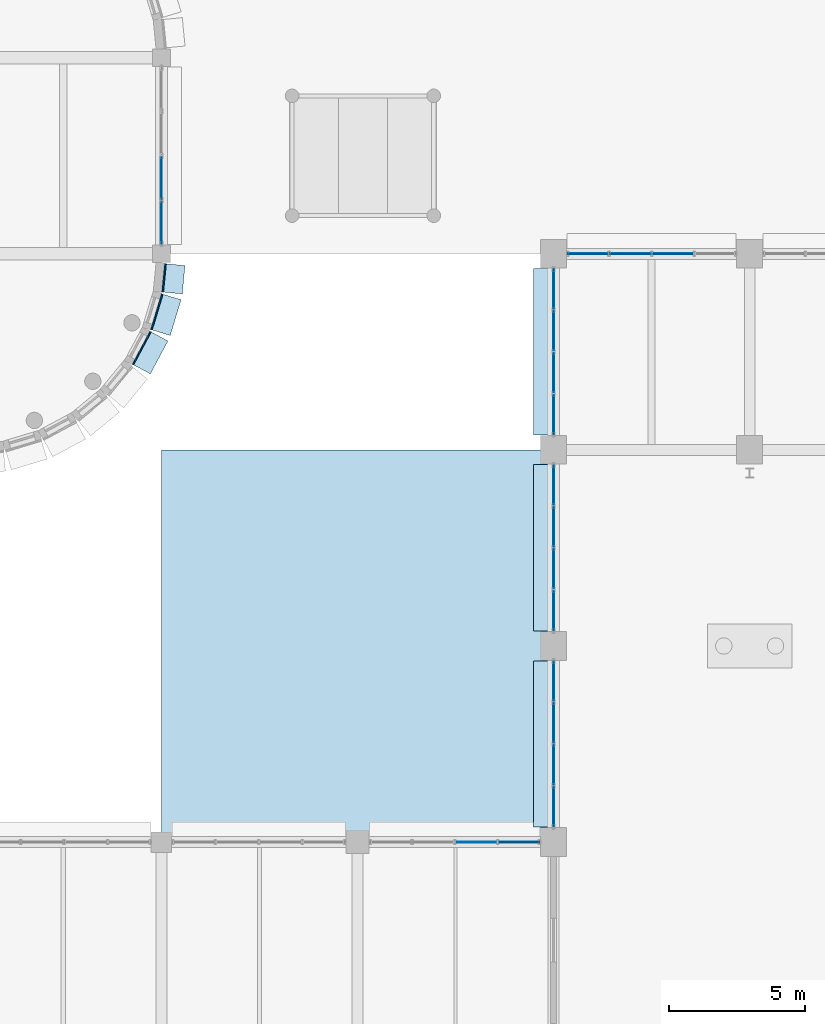
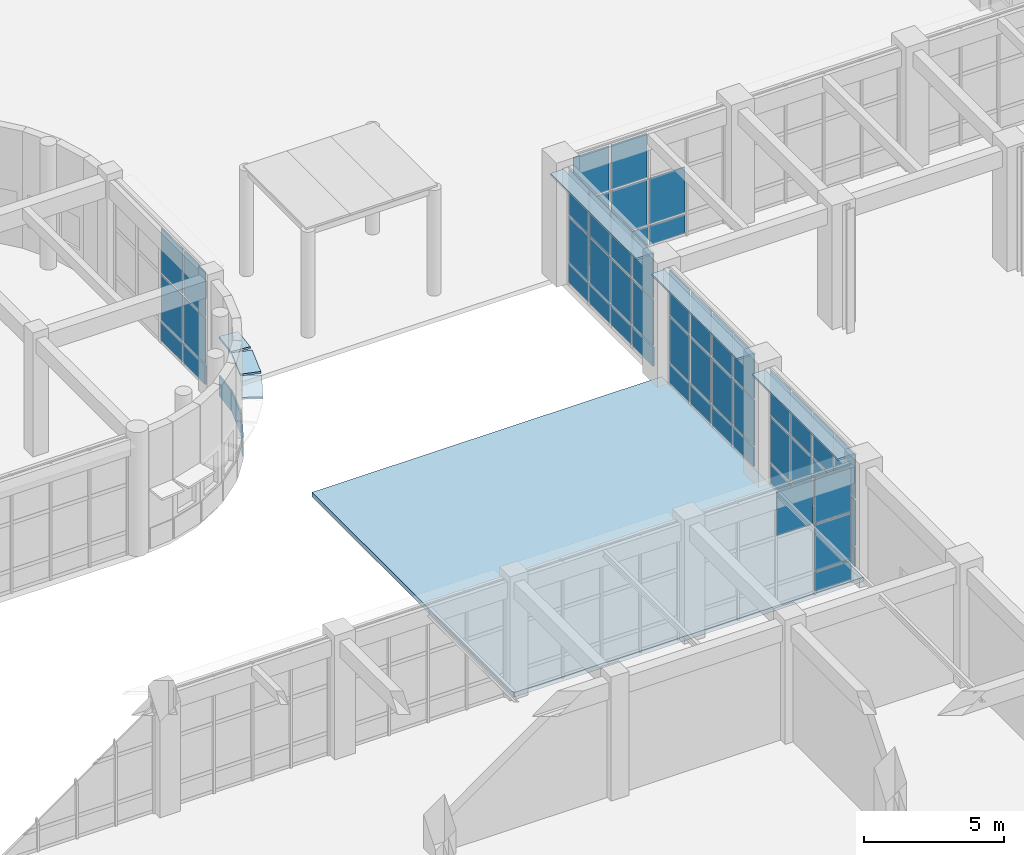
# One storey, part 119 of 160: 63 plates, 1 slab, 6 elements without a shape of their own.
"""IFC4 building model written with IfcOpenShell, lengths in metres."""

from ifc_helpers import new_model, si_unit, direction, frame, origin, origin_2d, place, context, subcontext, project, spatial, polyline, rectangle, outline, extrude, material, layer, layer_set, type_object, element, aggregate, save


model = new_model("IFC4")

# Units and contexts
model_context = context("Model", 3, precision=1e-05, world=origin(), true_north=direction((0.0, 1.0)))
body_context = subcontext(model_context, "Body", "Model", "MODEL_VIEW")
ifc_project = project(units=[si_unit("LENGTHUNIT", "METRE"), si_unit("AREAUNIT", "SQUARE_METRE"), si_unit("VOLUMEUNIT", "CUBIC_METRE"), si_unit("PLANEANGLEUNIT", "RADIAN"), si_unit("MASSUNIT", "GRAM", prefix="KILO")], contexts=[model_context])

# Site, building, storey
site_placement = place(None, origin())
site = spatial("IfcSite", under=ifc_project, at=site_placement, CompositionType="ELEMENT")
building_placement = place(site_placement, origin())
building = spatial("IfcBuilding", under=site, at=building_placement, Name="Thalmaran Polytechnic", CompositionType="ELEMENT")
storey_placement = place(building_placement, origin())
storey = spatial("IfcBuildingStorey", under=building, at=storey_placement, Name="L00", CompositionType="ELEMENT", Elevation=0.0)

# Plates
ifc_material_1 = material(Name="Anodised aluminium spandrel band", Category="aluminium")
ifc_layer_1 = layer(ifc_material_1, 0.054931640625, Name="Anodised aluminium spandrel band")
ifc_layer_set_1 = layer_set([ifc_layer_1], Name="Anodised aluminium spandrel band")
plate_type_1 = type_object("IfcPlateType", Name="PT-BD01", PredefinedType="SHEET", material=ifc_layer_set_1)
plate_1_placement = place(storey_placement, frame((93.694091796875, 56.71826171875, 0.02001953125), z_axis=(0.0, 0.0, 1.0), x_axis=(-0.09801714033, -0.995184726672, 0.0)))
element("IfcPlate", 1, at=plate_1_placement, inside=storey, type_object=plate_type_1, Name="Streamline Horizontal Spandrel Band L00-129", PredefinedType="SHEET", context=body_context, shape_type="SweptSolid", body=[
    extrude(rectangle(XDim=1.04638671875, YDim=0.054931640625, at=origin_2d()), origin(), (0.0, 0.0, 1.0), 0.8798828125),
])
for number, where, z_axis, x_axis, name in (
    (2, (93.428955078125, 55.4677734375, 0.02001953125), (0.0, 0.0, 1.0), (-0.290284677254, -0.956940335732, 0.0), "Streamline Horizontal Spandrel Band L00-130"),
    (3, (92.8779296875, 54.137451171875, 0.02001953125), (0.0, 0.0, 1.0), (-0.471396736826, -0.881921264348, 0.0), "Streamline Horizontal Spandrel Band L00-131"),
):
    element("IfcPlate", number, at=place(storey_placement, frame(where, z_axis=z_axis, x_axis=x_axis)), inside=storey, type_object=plate_type_1, Name=name, PredefinedType="SHEET", context=body_context, shape_type="SweptSolid", body=[
        extrude(rectangle(XDim=1.371337890625, YDim=0.054931640625, at=origin_2d()), origin(), (0.0, 0.0, 1.0), 0.8798828125),
    ])
ifc_material_2 = material(Name="Anodised aluminium sun-hood eyebrow", Category="aluminium")
ifc_layer_2 = layer(ifc_material_2, 0.0849609375, Name="Anodised aluminium sun-hood eyebrow")
ifc_layer_set_2 = layer_set([ifc_layer_2], Name="Anodised aluminium sun-hood eyebrow")
plate_type_2 = type_object("IfcPlateType", Name="PT-EB01", PredefinedType="SHEET", material=ifc_layer_set_2)
plate_2_placement = place(storey_placement, frame((94.037353515625, 56.6845703125, 2.517578125), z_axis=(0.0, 0.0, 1.0), x_axis=(-0.09801714033, -0.995184726672, 0.0)))
element("IfcPlate", 4, at=plate_2_placement, inside=storey, type_object=plate_type_2, Name="Streamline Sun-Hood Eyebrow L00-129", PredefinedType="SHEET", context=body_context, shape_type="SweptSolid", body=[
    extrude(rectangle(XDim=1.04638671875, YDim=0.760009765625, at=origin_2d()), origin(), (0.0, 0.0, 1.0), 0.0849609375),
])
for number, where, z_axis, x_axis, name in (
    (5, (93.75927734375, 55.36767578125, 2.517578125), (0.0, 0.0, 1.0), (-0.290284677254, -0.956940335732, 0.0), "Streamline Sun-Hood Eyebrow L00-130"),
    (6, (93.182373046875, 53.974853515625, 2.517578125), (0.0, 0.0, 1.0), (-0.471396736826, -0.881921264348, 0.0), "Streamline Sun-Hood Eyebrow L00-131"),
):
    element("IfcPlate", number, at=place(storey_placement, frame(where, z_axis=z_axis, x_axis=x_axis)), inside=storey, type_object=plate_type_2, Name=name, PredefinedType="SHEET", context=body_context, shape_type="SweptSolid", body=[
        extrude(rectangle(XDim=1.371337890625, YDim=0.760009765625, at=origin_2d()), origin(), (0.0, 0.0, 1.0), 0.0849609375),
    ])
for number, where, z_axis, x_axis, name in (
    (7, (107.639892578125, 39.60009765625, 4.987548828125), (0.0, 0.0, 1.0), (0.0, 1.0, 0.0), "Streamline Sun-Hood Eyebrow L00-CW061"),
    (8, (107.639892578125, 46.800048828125, 4.987548828125), (0.0, 0.0, 1.0), (0.0, 1.0, 0.0), "Streamline Sun-Hood Eyebrow L00-CW062"),
    (9, (107.639892578125, 54.0, 4.987548828125), (0.0, 0.0, 1.0), (0.0, 1.0, 0.0), "Streamline Sun-Hood Eyebrow L00-CW063"),
):
    element("IfcPlate", number, at=place(storey_placement, frame(where, z_axis=z_axis, x_axis=x_axis)), inside=storey, type_object=plate_type_2, Name=name, PredefinedType="SHEET", context=body_context, shape_type="SweptSolid", body=[
        extrude(rectangle(XDim=6.110107421875, YDim=0.760009765625, at=origin_2d()), origin(), (0.0, 0.0, 1.0), 0.0849609375),
    ])

# Curtain wall, plates
ifc_material_3 = material(Name="Aluminium 6063-T6", Category="aluminium")
curtain_wall_type_1 = type_object("IfcCurtainWallType", Name="CW-SC01", PredefinedType="USERDEFINED", material=ifc_material_3)
curtain_wall_1_placement = place(storey_placement, origin())
curtain_wall_1 = element("IfcCurtainWall", 10, at=curtain_wall_1_placement, inside=storey, type_object=curtain_wall_type_1, Name="Curtain Wall CW-L00-035", ObjectType="STICK CURTAIN WALL", PredefinedType="USERDEFINED")
ifc_material_4 = material(Name="Solar-control double low-E glass", Category="glass")
ifc_layer_3 = layer(ifc_material_4, 0.035888671875, Name="Solar-control double low-E glass")
ifc_layer_set_3 = layer_set([ifc_layer_3], Name="Solar-control double low-E glass")
plate_type_3 = type_object("IfcPlateType", Name="PT-GL01", PredefinedType="CURTAIN_PANEL", material=ifc_layer_set_3)
plate_3_placement = place(storey_placement, frame((93.60009765625, 60.38134765625, 1.0), z_axis=(0.0, 0.0, 1.0), x_axis=(0.0, -1.0, 0.0)))
plate_3 = element("IfcPlate", 11, at=plate_3_placement, type_object=plate_type_3, Name="CW-L00-035 Vision Panel 3-2", PredefinedType="CURTAIN_PANEL", context=body_context, shape_type="SweptSolid", body=[
    extrude(rectangle(XDim=1.53759765625, YDim=0.035888671875, at=origin_2d()), origin(), (0.0, 0.0, 1.0), 1.985107421875),
])
plate_4_placement = place(storey_placement, frame((93.60009765625, 60.38134765625, 3.06494140625), z_axis=(0.0, 0.0, 1.0), x_axis=(0.0, -1.0, 0.0)))
plate_4 = element("IfcPlate", 12, at=plate_4_placement, type_object=plate_type_3, Name="CW-L00-035 Vision Panel 3-3", PredefinedType="CURTAIN_PANEL", context=body_context, shape_type="SweptSolid", body=[
    extrude(rectangle(XDim=1.53759765625, YDim=0.035888671875, at=origin_2d()), origin(), (0.0, 0.0, 1.0), 1.925048828125),
])
plate_5_placement = place(storey_placement, frame((93.60009765625, 58.74365234375, 1.0), z_axis=(0.0, 0.0, 1.0), x_axis=(0.0, -1.0, 0.0)))
plate_5 = element("IfcPlate", 13, at=plate_5_placement, type_object=plate_type_3, Name="CW-L00-035 Vision Panel 4-2", PredefinedType="CURTAIN_PANEL", context=body_context, shape_type="SweptSolid", body=[
    extrude(rectangle(XDim=1.53759765625, YDim=0.035888671875, at=origin_2d()), origin(), (0.0, 0.0, 1.0), 1.985107421875),
])
plate_6_placement = place(storey_placement, frame((93.60009765625, 58.74365234375, 3.06494140625), z_axis=(0.0, 0.0, 1.0), x_axis=(0.0, -1.0, 0.0)))
plate_6 = element("IfcPlate", 14, at=plate_6_placement, type_object=plate_type_3, Name="CW-L00-035 Vision Panel 4-3", PredefinedType="CURTAIN_PANEL", context=body_context, shape_type="SweptSolid", body=[
    extrude(rectangle(XDim=1.53759765625, YDim=0.035888671875, at=origin_2d()), origin(), (0.0, 0.0, 1.0), 1.925048828125),
])

curtain_wall_type_2 = type_object("IfcCurtainWallType", Name="CW-UC01", PredefinedType="USERDEFINED", material=ifc_material_3)
curtain_wall_2_placement = place(storey_placement, origin())
curtain_wall_2 = element("IfcCurtainWall", 15, at=curtain_wall_2_placement, inside=storey, type_object=curtain_wall_type_2, Name="Curtain Wall CW-L00-060", ObjectType="UNITISED CURTAIN WALL", PredefinedType="USERDEFINED")
plate_7_placement = place(storey_placement, frame((105.16259765625, 36.0, 3.06494140625), z_axis=(0.0, 0.0, 1.0), x_axis=(1.0, 0.0, 0.0)))
plate_7 = element("IfcPlate", 16, at=plate_7_placement, type_object=plate_type_3, Name="CW-L00-060 Vision Panel 3-3", PredefinedType="CURTAIN_PANEL", context=body_context, shape_type="SweptSolid", body=[
    extrude(rectangle(XDim=1.47509765625, YDim=0.035888671875, at=origin_2d()), origin(), (0.0, 0.0, 1.0), 1.925048828125),
])
plate_8_placement = place(storey_placement, frame((106.737548828125, 36.0, 1.0), z_axis=(0.0, 0.0, 1.0), x_axis=(1.0, 0.0, 0.0)))
plate_8 = element("IfcPlate", 17, at=plate_8_placement, type_object=plate_type_3, Name="CW-L00-060 Vision Panel 4-2", PredefinedType="CURTAIN_PANEL", context=body_context, shape_type="SweptSolid", body=[
    extrude(rectangle(XDim=1.47509765625, YDim=0.035888671875, at=origin_2d()), origin(), (0.0, 0.0, 1.0), 1.985107421875),
])
plate_9_placement = place(storey_placement, frame((106.737548828125, 36.0, 3.06494140625), z_axis=(0.0, 0.0, 1.0), x_axis=(1.0, 0.0, 0.0)))
plate_9 = element("IfcPlate", 18, at=plate_9_placement, type_object=plate_type_3, Name="CW-L00-060 Vision Panel 4-3", PredefinedType="CURTAIN_PANEL", context=body_context, shape_type="SweptSolid", body=[
    extrude(rectangle(XDim=1.47509765625, YDim=0.035888671875, at=origin_2d()), origin(), (0.0, 0.0, 1.0), 1.925048828125),
])

curtain_wall_3_placement = place(storey_placement, origin())
curtain_wall_3 = element("IfcCurtainWall", 19, at=curtain_wall_3_placement, inside=storey, type_object=curtain_wall_type_2, Name="Curtain Wall CW-L00-061", ObjectType="UNITISED CURTAIN WALL", PredefinedType="USERDEFINED")
ifc_layer_4 = layer(ifc_material_4, 0.035888671875, Name="Solar-control double low-E glass")
ifc_layer_set_4 = layer_set([ifc_layer_4], Name="Solar-control double low-E glass")
plate_type_4 = type_object("IfcPlateType", Name="PT-GL02", PredefinedType="CURTAIN_PANEL", material=ifc_layer_set_4)
plate_10_placement = place(storey_placement, frame((108.0, 37.293701171875, 1.0), z_axis=(0.0, 0.0, 1.0), x_axis=(0.0, 1.0, 0.0)))
plate_10 = element("IfcPlate", 20, at=plate_10_placement, type_object=plate_type_4, Name="CW-L00-061 Vision Panel 1-2", PredefinedType="CURTAIN_PANEL", context=body_context, shape_type="SweptSolid", body=[
    extrude(rectangle(XDim=1.4375, YDim=0.035888671875, at=origin_2d()), origin(), (0.0, 0.0, 1.0), 1.985107421875),
])
plate_11_placement = place(storey_placement, frame((108.0, 37.293701171875, 3.06494140625), z_axis=(0.0, 0.0, 1.0), x_axis=(0.0, 1.0, 0.0)))
plate_11 = element("IfcPlate", 21, at=plate_11_placement, type_object=plate_type_4, Name="CW-L00-061 Vision Panel 1-3", PredefinedType="CURTAIN_PANEL", context=body_context, shape_type="SweptSolid", body=[
    extrude(rectangle(XDim=1.4375, YDim=0.035888671875, at=origin_2d()), origin(), (0.0, 0.0, 1.0), 1.925048828125),
])
plate_12_placement = place(storey_placement, frame((108.0, 38.831298828125, 1.0), z_axis=(0.0, 0.0, 1.0), x_axis=(0.0, 1.0, 0.0)))
plate_12 = element("IfcPlate", 22, at=plate_12_placement, type_object=plate_type_4, Name="CW-L00-061 Vision Panel 2-2", PredefinedType="CURTAIN_PANEL", context=body_context, shape_type="SweptSolid", body=[
    extrude(rectangle(XDim=1.4375, YDim=0.035888671875, at=origin_2d()), origin(), (0.0, 0.0, 1.0), 1.985107421875),
])
plate_13_placement = place(storey_placement, frame((108.0, 38.831298828125, 3.06494140625), z_axis=(0.0, 0.0, 1.0), x_axis=(0.0, 1.0, 0.0)))
plate_13 = element("IfcPlate", 23, at=plate_13_placement, type_object=plate_type_4, Name="CW-L00-061 Vision Panel 2-3", PredefinedType="CURTAIN_PANEL", context=body_context, shape_type="SweptSolid", body=[
    extrude(rectangle(XDim=1.4375, YDim=0.035888671875, at=origin_2d()), origin(), (0.0, 0.0, 1.0), 1.925048828125),
])
plate_14_placement = place(storey_placement, frame((108.0, 40.36865234375, 1.0), z_axis=(0.0, 0.0, 1.0), x_axis=(0.0, 1.0, 0.0)))
plate_14 = element("IfcPlate", 24, at=plate_14_placement, type_object=plate_type_4, Name="CW-L00-061 Vision Panel 3-2", PredefinedType="CURTAIN_PANEL", context=body_context, shape_type="SweptSolid", body=[
    extrude(rectangle(XDim=1.4375, YDim=0.035888671875, at=origin_2d()), origin(), (0.0, 0.0, 1.0), 1.985107421875),
])
plate_15_placement = place(storey_placement, frame((108.0, 40.36865234375, 3.06494140625), z_axis=(0.0, 0.0, 1.0), x_axis=(0.0, 1.0, 0.0)))
plate_15 = element("IfcPlate", 25, at=plate_15_placement, type_object=plate_type_4, Name="CW-L00-061 Vision Panel 3-3", PredefinedType="CURTAIN_PANEL", context=body_context, shape_type="SweptSolid", body=[
    extrude(rectangle(XDim=1.4375, YDim=0.035888671875, at=origin_2d()), origin(), (0.0, 0.0, 1.0), 1.925048828125),
])
plate_16_placement = place(storey_placement, frame((108.0, 41.90625, 1.0), z_axis=(0.0, 0.0, 1.0), x_axis=(0.0, 1.0, 0.0)))
plate_16 = element("IfcPlate", 26, at=plate_16_placement, type_object=plate_type_4, Name="CW-L00-061 Vision Panel 4-2", PredefinedType="CURTAIN_PANEL", context=body_context, shape_type="SweptSolid", body=[
    extrude(rectangle(XDim=1.4375, YDim=0.035888671875, at=origin_2d()), origin(), (0.0, 0.0, 1.0), 1.985107421875),
])
plate_17_placement = place(storey_placement, frame((108.0, 41.90625, 3.06494140625), z_axis=(0.0, 0.0, 1.0), x_axis=(0.0, 1.0, 0.0)))
plate_17 = element("IfcPlate", 27, at=plate_17_placement, type_object=plate_type_4, Name="CW-L00-061 Vision Panel 4-3", PredefinedType="CURTAIN_PANEL", context=body_context, shape_type="SweptSolid", body=[
    extrude(rectangle(XDim=1.4375, YDim=0.035888671875, at=origin_2d()), origin(), (0.0, 0.0, 1.0), 1.925048828125),
])

curtain_wall_4_placement = place(storey_placement, origin())
curtain_wall_4 = element("IfcCurtainWall", 28, at=curtain_wall_4_placement, inside=storey, type_object=curtain_wall_type_2, Name="Curtain Wall CW-L00-062", ObjectType="UNITISED CURTAIN WALL", PredefinedType="USERDEFINED")
ifc_layer_5 = layer(ifc_material_4, 0.035888671875, Name="Solar-control double low-E glass")
ifc_layer_set_5 = layer_set([ifc_layer_5], Name="Solar-control double low-E glass")
plate_type_5 = type_object("IfcPlateType", Name="PT-GL03", PredefinedType="CURTAIN_PANEL", material=ifc_layer_set_5)
plate_18_placement = place(storey_placement, frame((108.0, 44.49365234375, 1.0), z_axis=(0.0, 0.0, 1.0), x_axis=(0.0, 1.0, 0.0)))
plate_18 = element("IfcPlate", 29, at=plate_18_placement, type_object=plate_type_5, Name="CW-L00-062 Vision Panel 1-2", PredefinedType="CURTAIN_PANEL", context=body_context, shape_type="SweptSolid", body=[
    extrude(rectangle(XDim=1.4375, YDim=0.035888671875, at=origin_2d()), origin(), (0.0, 0.0, 1.0), 1.985107421875),
])
plate_19_placement = place(storey_placement, frame((108.0, 44.49365234375, 3.06494140625), z_axis=(0.0, 0.0, 1.0), x_axis=(0.0, 1.0, 0.0)))
plate_19 = element("IfcPlate", 30, at=plate_19_placement, type_object=plate_type_5, Name="CW-L00-062 Vision Panel 1-3", PredefinedType="CURTAIN_PANEL", context=body_context, shape_type="SweptSolid", body=[
    extrude(rectangle(XDim=1.4375, YDim=0.035888671875, at=origin_2d()), origin(), (0.0, 0.0, 1.0), 1.925048828125),
])
plate_20_placement = place(storey_placement, frame((108.0, 46.03125, 1.0), z_axis=(0.0, 0.0, 1.0), x_axis=(0.0, 1.0, 0.0)))
plate_20 = element("IfcPlate", 31, at=plate_20_placement, type_object=plate_type_5, Name="CW-L00-062 Vision Panel 2-2", PredefinedType="CURTAIN_PANEL", context=body_context, shape_type="SweptSolid", body=[
    extrude(rectangle(XDim=1.4375, YDim=0.035888671875, at=origin_2d()), origin(), (0.0, 0.0, 1.0), 1.985107421875),
])
plate_21_placement = place(storey_placement, frame((108.0, 46.03125, 3.06494140625), z_axis=(0.0, 0.0, 1.0), x_axis=(0.0, 1.0, 0.0)))
plate_21 = element("IfcPlate", 32, at=plate_21_placement, type_object=plate_type_5, Name="CW-L00-062 Vision Panel 2-3", PredefinedType="CURTAIN_PANEL", context=body_context, shape_type="SweptSolid", body=[
    extrude(rectangle(XDim=1.4375, YDim=0.035888671875, at=origin_2d()), origin(), (0.0, 0.0, 1.0), 1.925048828125),
])
plate_22_placement = place(storey_placement, frame((108.0, 47.56884765625, 1.0), z_axis=(0.0, 0.0, 1.0), x_axis=(0.0, 1.0, 0.0)))
plate_22 = element("IfcPlate", 33, at=plate_22_placement, type_object=plate_type_5, Name="CW-L00-062 Vision Panel 3-2", PredefinedType="CURTAIN_PANEL", context=body_context, shape_type="SweptSolid", body=[
    extrude(rectangle(XDim=1.4375, YDim=0.035888671875, at=origin_2d()), origin(), (0.0, 0.0, 1.0), 1.985107421875),
])
plate_23_placement = place(storey_placement, frame((108.0, 47.56884765625, 3.06494140625), z_axis=(0.0, 0.0, 1.0), x_axis=(0.0, 1.0, 0.0)))
plate_23 = element("IfcPlate", 34, at=plate_23_placement, type_object=plate_type_5, Name="CW-L00-062 Vision Panel 3-3", PredefinedType="CURTAIN_PANEL", context=body_context, shape_type="SweptSolid", body=[
    extrude(rectangle(XDim=1.4375, YDim=0.035888671875, at=origin_2d()), origin(), (0.0, 0.0, 1.0), 1.925048828125),
])
plate_24_placement = place(storey_placement, frame((108.0, 49.106201171875, 1.0), z_axis=(0.0, 0.0, 1.0), x_axis=(0.0, 1.0, 0.0)))
plate_24 = element("IfcPlate", 35, at=plate_24_placement, type_object=plate_type_5, Name="CW-L00-062 Vision Panel 4-2", PredefinedType="CURTAIN_PANEL", context=body_context, shape_type="SweptSolid", body=[
    extrude(rectangle(XDim=1.4375, YDim=0.035888671875, at=origin_2d()), origin(), (0.0, 0.0, 1.0), 1.985107421875),
])
plate_25_placement = place(storey_placement, frame((108.0, 49.106201171875, 3.06494140625), z_axis=(0.0, 0.0, 1.0), x_axis=(0.0, 1.0, 0.0)))
plate_25 = element("IfcPlate", 36, at=plate_25_placement, type_object=plate_type_5, Name="CW-L00-062 Vision Panel 4-3", PredefinedType="CURTAIN_PANEL", context=body_context, shape_type="SweptSolid", body=[
    extrude(rectangle(XDim=1.4375, YDim=0.035888671875, at=origin_2d()), origin(), (0.0, 0.0, 1.0), 1.925048828125),
])

curtain_wall_5_placement = place(storey_placement, origin())
curtain_wall_5 = element("IfcCurtainWall", 37, at=curtain_wall_5_placement, inside=storey, type_object=curtain_wall_type_2, Name="Curtain Wall CW-L00-063", ObjectType="UNITISED CURTAIN WALL", PredefinedType="USERDEFINED")
ifc_layer_6 = layer(ifc_material_4, 0.035888671875, Name="Solar-control double low-E glass")
ifc_layer_set_6 = layer_set([ifc_layer_6], Name="Solar-control double low-E glass")
plate_type_6 = type_object("IfcPlateType", Name="PT-GL04", PredefinedType="CURTAIN_PANEL", material=ifc_layer_set_6)
plate_26_placement = place(storey_placement, frame((108.0, 51.69384765625, 1.0), z_axis=(0.0, 0.0, 1.0), x_axis=(0.0, 1.0, 0.0)))
plate_26 = element("IfcPlate", 38, at=plate_26_placement, type_object=plate_type_6, Name="CW-L00-063 Vision Panel 1-2", PredefinedType="CURTAIN_PANEL", context=body_context, shape_type="SweptSolid", body=[
    extrude(rectangle(XDim=1.4375, YDim=0.035888671875, at=origin_2d()), origin(), (0.0, 0.0, 1.0), 1.985107421875),
])
plate_27_placement = place(storey_placement, frame((108.0, 51.69384765625, 3.06494140625), z_axis=(0.0, 0.0, 1.0), x_axis=(0.0, 1.0, 0.0)))
plate_27 = element("IfcPlate", 39, at=plate_27_placement, type_object=plate_type_6, Name="CW-L00-063 Vision Panel 1-3", PredefinedType="CURTAIN_PANEL", context=body_context, shape_type="SweptSolid", body=[
    extrude(rectangle(XDim=1.4375, YDim=0.035888671875, at=origin_2d()), origin(), (0.0, 0.0, 1.0), 1.925048828125),
])
plate_28_placement = place(storey_placement, frame((108.0, 53.231201171875, 1.0), z_axis=(0.0, 0.0, 1.0), x_axis=(0.0, 1.0, 0.0)))
plate_28 = element("IfcPlate", 40, at=plate_28_placement, type_object=plate_type_6, Name="CW-L00-063 Vision Panel 2-2", PredefinedType="CURTAIN_PANEL", context=body_context, shape_type="SweptSolid", body=[
    extrude(rectangle(XDim=1.4375, YDim=0.035888671875, at=origin_2d()), origin(), (0.0, 0.0, 1.0), 1.985107421875),
])
plate_29_placement = place(storey_placement, frame((108.0, 53.231201171875, 3.06494140625), z_axis=(0.0, 0.0, 1.0), x_axis=(0.0, 1.0, 0.0)))
plate_29 = element("IfcPlate", 41, at=plate_29_placement, type_object=plate_type_6, Name="CW-L00-063 Vision Panel 2-3", PredefinedType="CURTAIN_PANEL", context=body_context, shape_type="SweptSolid", body=[
    extrude(rectangle(XDim=1.4375, YDim=0.035888671875, at=origin_2d()), origin(), (0.0, 0.0, 1.0), 1.925048828125),
])
plate_30_placement = place(storey_placement, frame((108.0, 54.768798828125, 1.0), z_axis=(0.0, 0.0, 1.0), x_axis=(0.0, 1.0, 0.0)))
plate_30 = element("IfcPlate", 42, at=plate_30_placement, type_object=plate_type_6, Name="CW-L00-063 Vision Panel 3-2", PredefinedType="CURTAIN_PANEL", context=body_context, shape_type="SweptSolid", body=[
    extrude(rectangle(XDim=1.4375, YDim=0.035888671875, at=origin_2d()), origin(), (0.0, 0.0, 1.0), 1.985107421875),
])
plate_31_placement = place(storey_placement, frame((108.0, 54.768798828125, 3.06494140625), z_axis=(0.0, 0.0, 1.0), x_axis=(0.0, 1.0, 0.0)))
plate_31 = element("IfcPlate", 43, at=plate_31_placement, type_object=plate_type_6, Name="CW-L00-063 Vision Panel 3-3", PredefinedType="CURTAIN_PANEL", context=body_context, shape_type="SweptSolid", body=[
    extrude(rectangle(XDim=1.4375, YDim=0.035888671875, at=origin_2d()), origin(), (0.0, 0.0, 1.0), 1.925048828125),
])
plate_32_placement = place(storey_placement, frame((108.0, 56.30615234375, 1.0), z_axis=(0.0, 0.0, 1.0), x_axis=(0.0, 1.0, 0.0)))
plate_32 = element("IfcPlate", 44, at=plate_32_placement, type_object=plate_type_6, Name="CW-L00-063 Vision Panel 4-2", PredefinedType="CURTAIN_PANEL", context=body_context, shape_type="SweptSolid", body=[
    extrude(rectangle(XDim=1.4375, YDim=0.035888671875, at=origin_2d()), origin(), (0.0, 0.0, 1.0), 1.985107421875),
])
plate_33_placement = place(storey_placement, frame((108.0, 56.30615234375, 3.06494140625), z_axis=(0.0, 0.0, 1.0), x_axis=(0.0, 1.0, 0.0)))
plate_33 = element("IfcPlate", 45, at=plate_33_placement, type_object=plate_type_6, Name="CW-L00-063 Vision Panel 4-3", PredefinedType="CURTAIN_PANEL", context=body_context, shape_type="SweptSolid", body=[
    extrude(rectangle(XDim=1.4375, YDim=0.035888671875, at=origin_2d()), origin(), (0.0, 0.0, 1.0), 1.925048828125),
])

curtain_wall_6_placement = place(storey_placement, origin())
curtain_wall_6 = element("IfcCurtainWall", 46, at=curtain_wall_6_placement, inside=storey, type_object=curtain_wall_type_2, Name="Curtain Wall CW-L00-064", ObjectType="UNITISED CURTAIN WALL", PredefinedType="USERDEFINED")
ifc_layer_7 = layer(ifc_material_4, 0.035888671875, Name="Solar-control double low-E glass")
ifc_layer_set_7 = layer_set([ifc_layer_7], Name="Solar-control double low-E glass")
plate_type_7 = type_object("IfcPlateType", Name="PT-GL05", PredefinedType="CURTAIN_PANEL", material=ifc_layer_set_7)
plate_34_placement = place(storey_placement, frame((109.25634765625, 57.60009765625, 1.0), z_axis=(0.0, 0.0, 1.0), x_axis=(1.0, 0.0, 0.0)))
plate_34 = element("IfcPlate", 47, at=plate_34_placement, type_object=plate_type_7, Name="CW-L00-064 Vision Panel 1-2", PredefinedType="CURTAIN_PANEL", context=body_context, shape_type="SweptSolid", body=[
    extrude(rectangle(XDim=1.46240234375, YDim=0.035888671875, at=origin_2d()), origin(), (0.0, 0.0, 1.0), 1.985107421875),
])
plate_35_placement = place(storey_placement, frame((109.25634765625, 57.60009765625, 3.06494140625), z_axis=(0.0, 0.0, 1.0), x_axis=(1.0, 0.0, 0.0)))
plate_35 = element("IfcPlate", 48, at=plate_35_placement, type_object=plate_type_7, Name="CW-L00-064 Vision Panel 1-3", PredefinedType="CURTAIN_PANEL", context=body_context, shape_type="SweptSolid", body=[
    extrude(rectangle(XDim=1.46240234375, YDim=0.035888671875, at=origin_2d()), origin(), (0.0, 0.0, 1.0), 1.925048828125),
])
plate_36_placement = place(storey_placement, frame((110.81884765625, 57.60009765625, 1.0), z_axis=(0.0, 0.0, 1.0), x_axis=(1.0, 0.0, 0.0)))
plate_36 = element("IfcPlate", 49, at=plate_36_placement, type_object=plate_type_7, Name="CW-L00-064 Vision Panel 2-2", PredefinedType="CURTAIN_PANEL", context=body_context, shape_type="SweptSolid", body=[
    extrude(rectangle(XDim=1.46240234375, YDim=0.035888671875, at=origin_2d()), origin(), (0.0, 0.0, 1.0), 1.985107421875),
])
plate_37_placement = place(storey_placement, frame((110.81884765625, 57.60009765625, 3.06494140625), z_axis=(0.0, 0.0, 1.0), x_axis=(1.0, 0.0, 0.0)))
plate_37 = element("IfcPlate", 50, at=plate_37_placement, type_object=plate_type_7, Name="CW-L00-064 Vision Panel 2-3", PredefinedType="CURTAIN_PANEL", context=body_context, shape_type="SweptSolid", body=[
    extrude(rectangle(XDim=1.46240234375, YDim=0.035888671875, at=origin_2d()), origin(), (0.0, 0.0, 1.0), 1.925048828125),
])
plate_38_placement = place(storey_placement, frame((112.38134765625, 57.60009765625, 1.0), z_axis=(0.0, 0.0, 1.0), x_axis=(1.0, 0.0, 0.0)))
plate_38 = element("IfcPlate", 51, at=plate_38_placement, type_object=plate_type_7, Name="CW-L00-064 Vision Panel 3-2", PredefinedType="CURTAIN_PANEL", context=body_context, shape_type="SweptSolid", body=[
    extrude(rectangle(XDim=1.46240234375, YDim=0.035888671875, at=origin_2d()), origin(), (0.0, 0.0, 1.0), 1.985107421875),
])

# Plate
ifc_material_5 = material(Name="Insulated anodised aluminium spandrel", Category="aluminium")
ifc_layer_8 = layer(ifc_material_5, 0.06005859375, Name="Insulated anodised aluminium spandrel")
ifc_layer_set_8 = layer_set([ifc_layer_8], Name="Insulated anodised aluminium spandrel")
plate_type_8 = type_object("IfcPlateType", Name="PT-SP01", PredefinedType="CURTAIN_PANEL", material=ifc_layer_set_8)
plate_39_placement = place(storey_placement, frame((106.737548828125, 36.0, 0.10009765625), z_axis=(0.0, 0.0, 1.0), x_axis=(1.0, 0.0, 0.0)))
plate_39 = element("IfcPlate", 52, at=plate_39_placement, type_object=plate_type_8, Name="CW-L00-060 Spandrel Panel 4-1", PredefinedType="CURTAIN_PANEL", context=body_context, shape_type="SweptSolid", body=[
    extrude(rectangle(XDim=1.47509765625, YDim=0.06005859375, at=origin_2d()), origin(), (0.0, 0.0, 1.0), 0.820068359375),
])

aggregate(curtain_wall_2, [plate_7, plate_39, plate_8, plate_9])

plate_40_placement = place(storey_placement, frame((108.0, 51.69384765625, 0.10009765625), z_axis=(0.0, 0.0, 1.0), x_axis=(0.0, 1.0, 0.0)))
plate_40 = element("IfcPlate", 53, at=plate_40_placement, type_object=plate_type_8, Name="CW-L00-063 Spandrel Panel 1-1", PredefinedType="CURTAIN_PANEL", context=body_context, shape_type="SweptSolid", body=[
    extrude(rectangle(XDim=1.4375, YDim=0.06005859375, at=origin_2d()), origin(), (0.0, 0.0, 1.0), 0.820068359375),
])

plate_41_placement = place(storey_placement, frame((108.0, 53.231201171875, 0.10009765625), z_axis=(0.0, 0.0, 1.0), x_axis=(0.0, 1.0, 0.0)))
plate_41 = element("IfcPlate", 54, at=plate_41_placement, type_object=plate_type_8, Name="CW-L00-063 Spandrel Panel 2-1", PredefinedType="CURTAIN_PANEL", context=body_context, shape_type="SweptSolid", body=[
    extrude(rectangle(XDim=1.4375, YDim=0.06005859375, at=origin_2d()), origin(), (0.0, 0.0, 1.0), 0.820068359375),
])

plate_42_placement = place(storey_placement, frame((108.0, 54.768798828125, 0.10009765625), z_axis=(0.0, 0.0, 1.0), x_axis=(0.0, 1.0, 0.0)))
plate_42 = element("IfcPlate", 55, at=plate_42_placement, type_object=plate_type_8, Name="CW-L00-063 Spandrel Panel 3-1", PredefinedType="CURTAIN_PANEL", context=body_context, shape_type="SweptSolid", body=[
    extrude(rectangle(XDim=1.4375, YDim=0.06005859375, at=origin_2d()), origin(), (0.0, 0.0, 1.0), 0.820068359375),
])

plate_43_placement = place(storey_placement, frame((108.0, 56.30615234375, 0.10009765625), z_axis=(0.0, 0.0, 1.0), x_axis=(0.0, 1.0, 0.0)))
plate_43 = element("IfcPlate", 56, at=plate_43_placement, type_object=plate_type_8, Name="CW-L00-063 Spandrel Panel 4-1", PredefinedType="CURTAIN_PANEL", context=body_context, shape_type="SweptSolid", body=[
    extrude(rectangle(XDim=1.4375, YDim=0.06005859375, at=origin_2d()), origin(), (0.0, 0.0, 1.0), 0.820068359375),
])

aggregate(curtain_wall_5, [plate_40, plate_26, plate_27, plate_41, plate_28, plate_29, plate_42, plate_30, plate_31, plate_43, plate_32, plate_33])

ifc_layer_9 = layer(ifc_material_5, 0.06005859375, Name="Insulated anodised aluminium spandrel")
ifc_layer_set_9 = layer_set([ifc_layer_9], Name="Insulated anodised aluminium spandrel")
plate_type_9 = type_object("IfcPlateType", Name="PT-SP02", PredefinedType="CURTAIN_PANEL", material=ifc_layer_set_9)
plate_44_placement = place(storey_placement, frame((108.0, 37.293701171875, 0.10009765625), z_axis=(0.0, 0.0, 1.0), x_axis=(0.0, 1.0, 0.0)))
plate_44 = element("IfcPlate", 57, at=plate_44_placement, type_object=plate_type_9, Name="CW-L00-061 Spandrel Panel 1-1", PredefinedType="CURTAIN_PANEL", context=body_context, shape_type="SweptSolid", body=[
    extrude(rectangle(XDim=1.4375, YDim=0.06005859375, at=origin_2d()), origin(), (0.0, 0.0, 1.0), 0.820068359375),
])

plate_45_placement = place(storey_placement, frame((108.0, 38.831298828125, 0.10009765625), z_axis=(0.0, 0.0, 1.0), x_axis=(0.0, 1.0, 0.0)))
plate_45 = element("IfcPlate", 58, at=plate_45_placement, type_object=plate_type_9, Name="CW-L00-061 Spandrel Panel 2-1", PredefinedType="CURTAIN_PANEL", context=body_context, shape_type="SweptSolid", body=[
    extrude(rectangle(XDim=1.4375, YDim=0.06005859375, at=origin_2d()), origin(), (0.0, 0.0, 1.0), 0.820068359375),
])

plate_46_placement = place(storey_placement, frame((108.0, 40.36865234375, 0.10009765625), z_axis=(0.0, 0.0, 1.0), x_axis=(0.0, 1.0, 0.0)))
plate_46 = element("IfcPlate", 59, at=plate_46_placement, type_object=plate_type_9, Name="CW-L00-061 Spandrel Panel 3-1", PredefinedType="CURTAIN_PANEL", context=body_context, shape_type="SweptSolid", body=[
    extrude(rectangle(XDim=1.4375, YDim=0.06005859375, at=origin_2d()), origin(), (0.0, 0.0, 1.0), 0.820068359375),
])

plate_47_placement = place(storey_placement, frame((108.0, 41.90625, 0.10009765625), z_axis=(0.0, 0.0, 1.0), x_axis=(0.0, 1.0, 0.0)))
plate_47 = element("IfcPlate", 60, at=plate_47_placement, type_object=plate_type_9, Name="CW-L00-061 Spandrel Panel 4-1", PredefinedType="CURTAIN_PANEL", context=body_context, shape_type="SweptSolid", body=[
    extrude(rectangle(XDim=1.4375, YDim=0.06005859375, at=origin_2d()), origin(), (0.0, 0.0, 1.0), 0.820068359375),
])

aggregate(curtain_wall_3, [plate_44, plate_10, plate_11, plate_45, plate_12, plate_13, plate_46, plate_14, plate_15, plate_47, plate_16, plate_17])

plate_48_placement = place(storey_placement, frame((109.25634765625, 57.60009765625, 0.10009765625), z_axis=(0.0, 0.0, 1.0), x_axis=(1.0, 0.0, 0.0)))
plate_48 = element("IfcPlate", 61, at=plate_48_placement, type_object=plate_type_9, Name="CW-L00-064 Spandrel Panel 1-1", PredefinedType="CURTAIN_PANEL", context=body_context, shape_type="SweptSolid", body=[
    extrude(rectangle(XDim=1.46240234375, YDim=0.06005859375, at=origin_2d()), origin(), (0.0, 0.0, 1.0), 0.820068359375),
])

plate_49_placement = place(storey_placement, frame((110.81884765625, 57.60009765625, 0.10009765625), z_axis=(0.0, 0.0, 1.0), x_axis=(1.0, 0.0, 0.0)))
plate_49 = element("IfcPlate", 62, at=plate_49_placement, type_object=plate_type_9, Name="CW-L00-064 Spandrel Panel 2-1", PredefinedType="CURTAIN_PANEL", context=body_context, shape_type="SweptSolid", body=[
    extrude(rectangle(XDim=1.46240234375, YDim=0.06005859375, at=origin_2d()), origin(), (0.0, 0.0, 1.0), 0.820068359375),
])

plate_50_placement = place(storey_placement, frame((112.38134765625, 57.60009765625, 0.10009765625), z_axis=(0.0, 0.0, 1.0), x_axis=(1.0, 0.0, 0.0)))
plate_50 = element("IfcPlate", 63, at=plate_50_placement, type_object=plate_type_9, Name="CW-L00-064 Spandrel Panel 3-1", PredefinedType="CURTAIN_PANEL", context=body_context, shape_type="SweptSolid", body=[
    extrude(rectangle(XDim=1.46240234375, YDim=0.06005859375, at=origin_2d()), origin(), (0.0, 0.0, 1.0), 0.820068359375),
])

aggregate(curtain_wall_6, [plate_48, plate_34, plate_35, plate_49, plate_36, plate_37, plate_50, plate_38])

ifc_layer_10 = layer(ifc_material_5, 0.06005859375, Name="Insulated anodised aluminium spandrel")
ifc_layer_set_10 = layer_set([ifc_layer_10], Name="Insulated anodised aluminium spandrel")
plate_type_10 = type_object("IfcPlateType", Name="PT-SP03", PredefinedType="CURTAIN_PANEL", material=ifc_layer_set_10)
plate_51_placement = place(storey_placement, frame((93.60009765625, 60.38134765625, 0.10009765625), z_axis=(0.0, 0.0, 1.0), x_axis=(0.0, -1.0, 0.0)))
plate_51 = element("IfcPlate", 64, at=plate_51_placement, type_object=plate_type_10, Name="CW-L00-035 Spandrel Panel 3-1", PredefinedType="CURTAIN_PANEL", context=body_context, shape_type="SweptSolid", body=[
    extrude(rectangle(XDim=1.53759765625, YDim=0.06005859375, at=origin_2d()), origin(), (0.0, 0.0, 1.0), 0.820068359375),
])

plate_52_placement = place(storey_placement, frame((93.60009765625, 58.74365234375, 0.10009765625), z_axis=(0.0, 0.0, 1.0), x_axis=(0.0, -1.0, 0.0)))
plate_52 = element("IfcPlate", 65, at=plate_52_placement, type_object=plate_type_10, Name="CW-L00-035 Spandrel Panel 4-1", PredefinedType="CURTAIN_PANEL", context=body_context, shape_type="SweptSolid", body=[
    extrude(rectangle(XDim=1.53759765625, YDim=0.06005859375, at=origin_2d()), origin(), (0.0, 0.0, 1.0), 0.820068359375),
])

aggregate(curtain_wall_1, [plate_51, plate_3, plate_4, plate_52, plate_5, plate_6])

plate_53_placement = place(storey_placement, frame((108.0, 44.49365234375, 0.10009765625), z_axis=(0.0, 0.0, 1.0), x_axis=(0.0, 1.0, 0.0)))
plate_53 = element("IfcPlate", 66, at=plate_53_placement, type_object=plate_type_10, Name="CW-L00-062 Spandrel Panel 1-1", PredefinedType="CURTAIN_PANEL", context=body_context, shape_type="SweptSolid", body=[
    extrude(rectangle(XDim=1.4375, YDim=0.06005859375, at=origin_2d()), origin(), (0.0, 0.0, 1.0), 0.820068359375),
])

plate_54_placement = place(storey_placement, frame((108.0, 46.03125, 0.10009765625), z_axis=(0.0, 0.0, 1.0), x_axis=(0.0, 1.0, 0.0)))
plate_54 = element("IfcPlate", 67, at=plate_54_placement, type_object=plate_type_10, Name="CW-L00-062 Spandrel Panel 2-1", PredefinedType="CURTAIN_PANEL", context=body_context, shape_type="SweptSolid", body=[
    extrude(rectangle(XDim=1.4375, YDim=0.06005859375, at=origin_2d()), origin(), (0.0, 0.0, 1.0), 0.820068359375),
])

plate_55_placement = place(storey_placement, frame((108.0, 47.56884765625, 0.10009765625), z_axis=(0.0, 0.0, 1.0), x_axis=(0.0, 1.0, 0.0)))
plate_55 = element("IfcPlate", 68, at=plate_55_placement, type_object=plate_type_10, Name="CW-L00-062 Spandrel Panel 3-1", PredefinedType="CURTAIN_PANEL", context=body_context, shape_type="SweptSolid", body=[
    extrude(rectangle(XDim=1.4375, YDim=0.06005859375, at=origin_2d()), origin(), (0.0, 0.0, 1.0), 0.820068359375),
])

plate_56_placement = place(storey_placement, frame((108.0, 49.106201171875, 0.10009765625), z_axis=(0.0, 0.0, 1.0), x_axis=(0.0, 1.0, 0.0)))
plate_56 = element("IfcPlate", 69, at=plate_56_placement, type_object=plate_type_10, Name="CW-L00-062 Spandrel Panel 4-1", PredefinedType="CURTAIN_PANEL", context=body_context, shape_type="SweptSolid", body=[
    extrude(rectangle(XDim=1.4375, YDim=0.06005859375, at=origin_2d()), origin(), (0.0, 0.0, 1.0), 0.820068359375),
])

aggregate(curtain_wall_4, [plate_53, plate_18, plate_19, plate_54, plate_20, plate_21, plate_55, plate_22, plate_23, plate_56, plate_24, plate_25])

# Slab
ifc_material_6 = material(Name="Concrete C40/50", Category="concrete")
ifc_layer_11 = layer(ifc_material_6, 0.199951171875, Name="Concrete C40/50")
ifc_layer_set_11 = layer_set([ifc_layer_11], Name="Concrete C40/50")
slab_type = type_object("IfcSlabType", Name="SL-PV01", PredefinedType="BASESLAB", material=ifc_layer_set_11)
slab_placement = place(storey_placement, frame((0.0, 0.0, -0.199951171875)))
element("IfcSlab", 70, at=slab_placement, inside=storey, type_object=slab_type, Name="External Street Paving COURT-M2", PredefinedType="BASESLAB", context=body_context, shape_type="SweptSolid", body=[
    extrude(outline(polyline([(93.60009765625, 36.0), (108.0, 36.0), (108.0, 50.39990234375), (93.60009765625, 50.39990234375), (93.60009765625, 36.0)])), origin(), (0.0, 0.0, 1.0), 0.199951171875),
])

save(model, "model.ifc")
